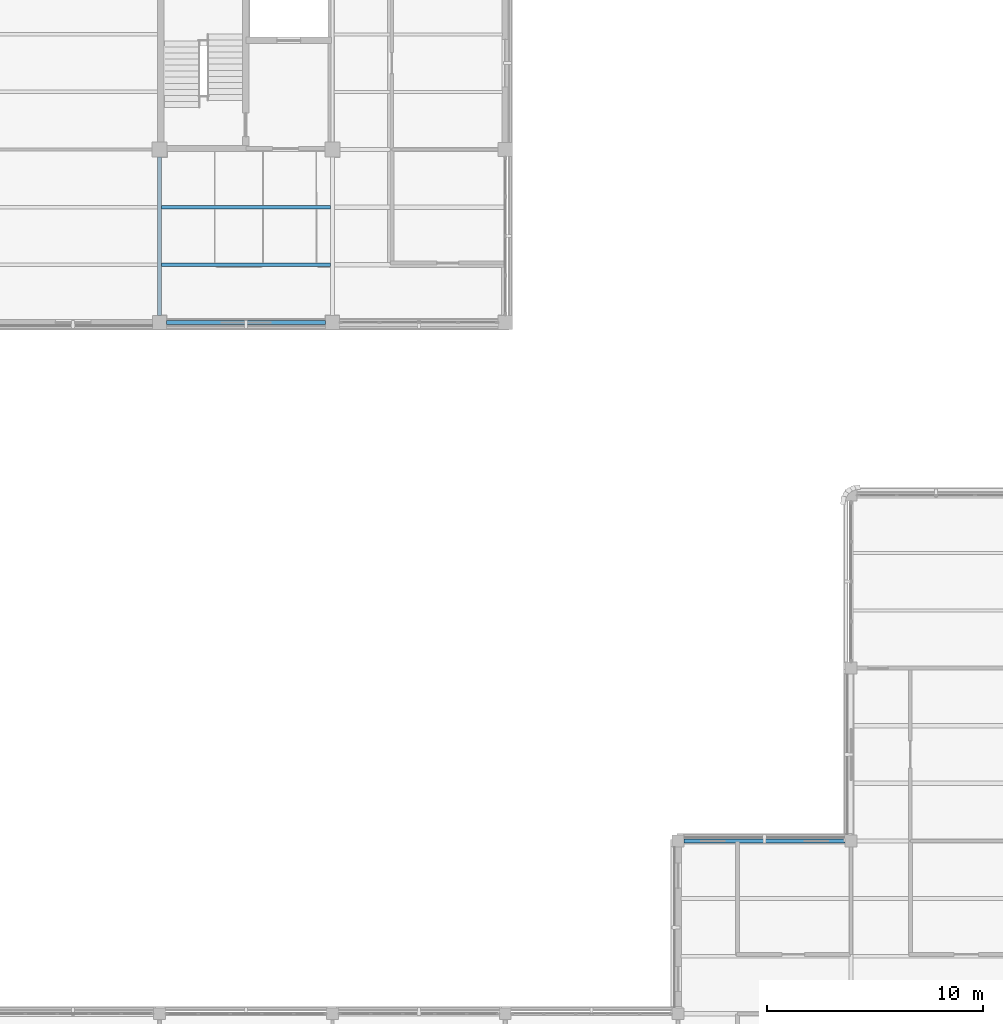
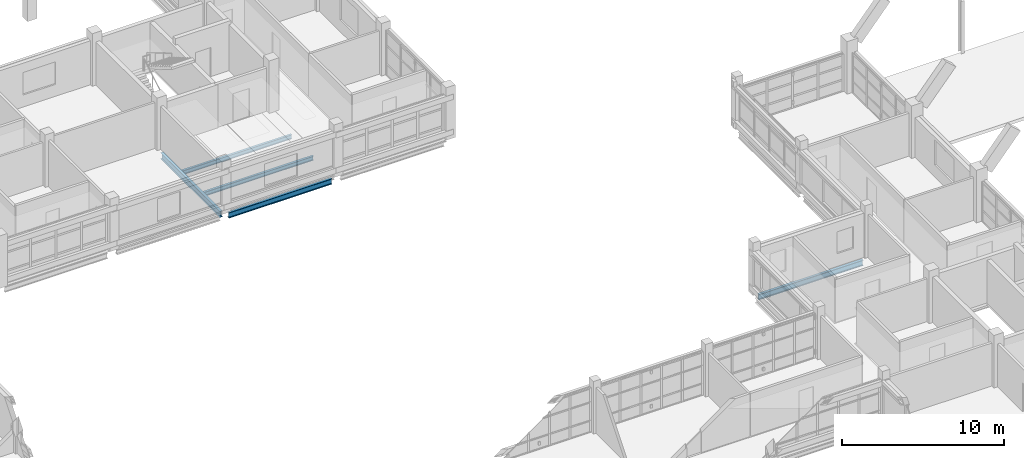
# One storey, part 25 of 92: 5 beams.
"""IFC4 building model written with IfcOpenShell, lengths in metres."""

from ifc_helpers import new_model, si_unit, derived_unit, direction, frame, origin, origin_2d, place, context, subcontext, project, spatial, i_section, extrude, material, material_profile, profile_set, type_object, element, save


model = new_model("IFC4")

# Units and contexts
model_context = context("Model", 3, precision=1e-05, world=origin(), true_north=direction((0.0, 1.0)))
body_context = subcontext(model_context, "Body", "Model", "MODEL_VIEW")
ifc_project = project(units=[si_unit("LENGTHUNIT", "METRE"), si_unit("AREAUNIT", "SQUARE_METRE"), si_unit("VOLUMEUNIT", "CUBIC_METRE"), si_unit("PLANEANGLEUNIT", "RADIAN"), si_unit("MASSUNIT", "GRAM", prefix="KILO"), derived_unit("THERMALTRANSMITTANCEUNIT", [(si_unit("MASSUNIT", "GRAM", prefix="KILO"), 1), (si_unit("TIMEUNIT", "SECOND"), -3), (si_unit("THERMODYNAMICTEMPERATUREUNIT", "KELVIN"), -1)])], contexts=[model_context])

# Site, building, storey
site_placement = place(None, origin())
site = spatial("IfcSite", under=ifc_project, at=site_placement, CompositionType="ELEMENT")
building_placement = place(site_placement, origin())
building = spatial("IfcBuilding", under=site, at=building_placement, Name="Veyamyaing Civic Hall", CompositionType="ELEMENT")
storey_placement = place(building_placement, frame((0.0, 0.0, 17.820068359375)))
storey = spatial("IfcBuildingStorey", under=building, at=storey_placement, Name="L04", CompositionType="ELEMENT", Elevation=17.820068359375)

# Beams
ifc_material = material(Name="Steel ASTM A992", Category="steel")
ifc_material_profile_1 = material_profile(ifc_material, i_section(OverallWidth=0.19189453125, OverallDepth=0.462890625, WebThickness=0.010498046875, FlangeThickness=0.017578125, FilletRadius=0.010009765625, at=origin_2d()), Name="W460X89")
ifc_profile_set_1 = profile_set([ifc_material_profile_1], Name="Steel ASTM A992")
beam_type_1 = type_object("IfcBeamType", Name="B-08", PredefinedType="BEAM", material=ifc_profile_set_1)
beam_1_placement = place(storey_placement, frame((32.0, 88.324951171875, -0.466552734375), z_axis=(0.0, 1.0, 0.0), x_axis=(-1.0, 0.0, 0.0)))
element("IfcBeam", 1, at=beam_1_placement, inside=storey, type_object=beam_type_1, Name="Girder B-08 L04 Grid 5 M-N", PredefinedType="BEAM", context=body_context, shape_type="SweptSolid", body=[
    extrude(i_section(OverallWidth=0.19189453125, OverallDepth=0.462890625, WebThickness=0.010498046875, FlangeThickness=0.017578125, FilletRadius=0.010009765625, at=origin_2d()), origin(), (0.0, 0.0, 1.0), 7.324951171875),
])
ifc_material_profile_2 = material_profile(ifc_material, i_section(OverallWidth=0.179931640625, OverallDepth=0.4130859375, WebThickness=0.009765625, FlangeThickness=0.01611328125, FilletRadius=0.010009765625, at=origin_2d()), Name="W410X74")
ifc_profile_set_2 = profile_set([ifc_material_profile_2], Name="Steel ASTM A992")
beam_type_2 = type_object("IfcBeamType", Name="B-10", PredefinedType="SPANDREL", material=ifc_profile_set_2)
beam_2_placement = place(storey_placement, frame((56.27490234375, 64.0, -0.441650390625), z_axis=(1.0, 0.0, 0.0), x_axis=(0.0, 1.0, 0.0)))
element("IfcBeam", 2, at=beam_2_placement, inside=storey, type_object=beam_type_2, Name="Girder B-10 L04 Grid J 8-9", PredefinedType="SPANDREL", context=body_context, shape_type="SweptSolid", body=[
    extrude(i_section(OverallWidth=0.179931640625, OverallDepth=0.4130859375, WebThickness=0.009765625, FlangeThickness=0.01611328125, FilletRadius=0.010009765625, at=origin_2d()), origin(), (0.0, 0.0, 1.0), 7.4501953125),
])
beam_3_placement = place(storey_placement, frame((32.324951171875, 88.0, -0.441650390625), z_axis=(1.0, 0.0, 0.0), x_axis=(0.0, 1.0, 0.0)))
element("IfcBeam", 3, at=beam_3_placement, inside=storey, type_object=beam_type_2, Name="Girder B-10 L04 Grid M 5-6", PredefinedType="SPANDREL", context=body_context, shape_type="SweptSolid", body=[
    extrude(i_section(OverallWidth=0.179931640625, OverallDepth=0.4130859375, WebThickness=0.009765625, FlangeThickness=0.01611328125, FilletRadius=0.010009765625, at=origin_2d()), origin(), (0.0, 0.0, 1.0), 7.35009765625),
])
ifc_material_profile_3 = material_profile(ifc_material, i_section(OverallWidth=0.1650390625, OverallDepth=0.31005859375, WebThickness=0.005859375, FlangeThickness=0.009765625, FilletRadius=0.010009765625, at=origin_2d()), Name="W310X39")
ifc_profile_set_3 = profile_set([ifc_material_profile_3], Name="Steel ASTM A992")
beam_type_3 = type_object("IfcBeamType", Name="J-05", PredefinedType="JOIST", material=ifc_profile_set_3)
for number, where, z_axis, x_axis, name in (
    (4, (32.093994140625, 90.666748046875, -0.39013671875), (1.0, 0.0, 0.0), (0.0, 1.0, 0.0), "Composite floor joist J-05 L04 5.12.1"),
    (5, (32.093994140625, 93.333251953125, -0.39013671875), (1.0, 0.0, 0.0), (0.0, 1.0, 0.0), "Composite floor joist J-05 L04 5.12.2"),
):
    element("IfcBeam", number, at=place(storey_placement, frame(where, z_axis=z_axis, x_axis=x_axis)), inside=storey, type_object=beam_type_3, Name=name, PredefinedType="JOIST", context=body_context, shape_type="SweptSolid", body=[
        extrude(i_section(OverallWidth=0.1650390625, OverallDepth=0.31005859375, WebThickness=0.005859375, FlangeThickness=0.009765625, FilletRadius=0.010009765625, at=origin_2d()), origin(), (0.0, 0.0, 1.0), 7.81298828125),
    ])

save(model, "model.ifc")
